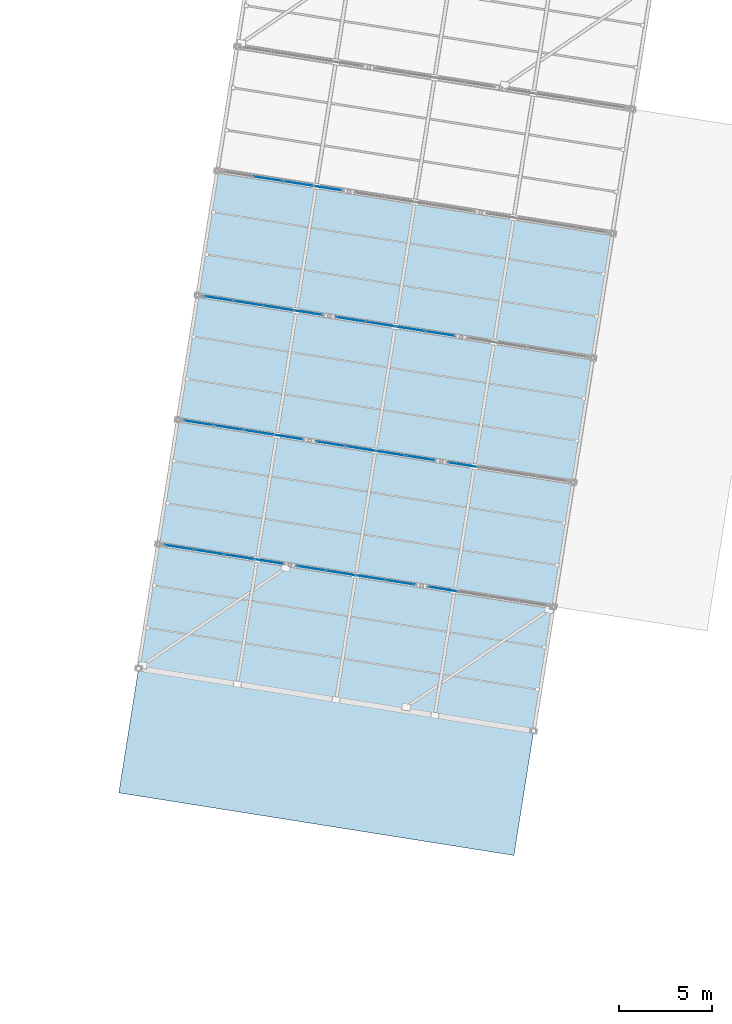
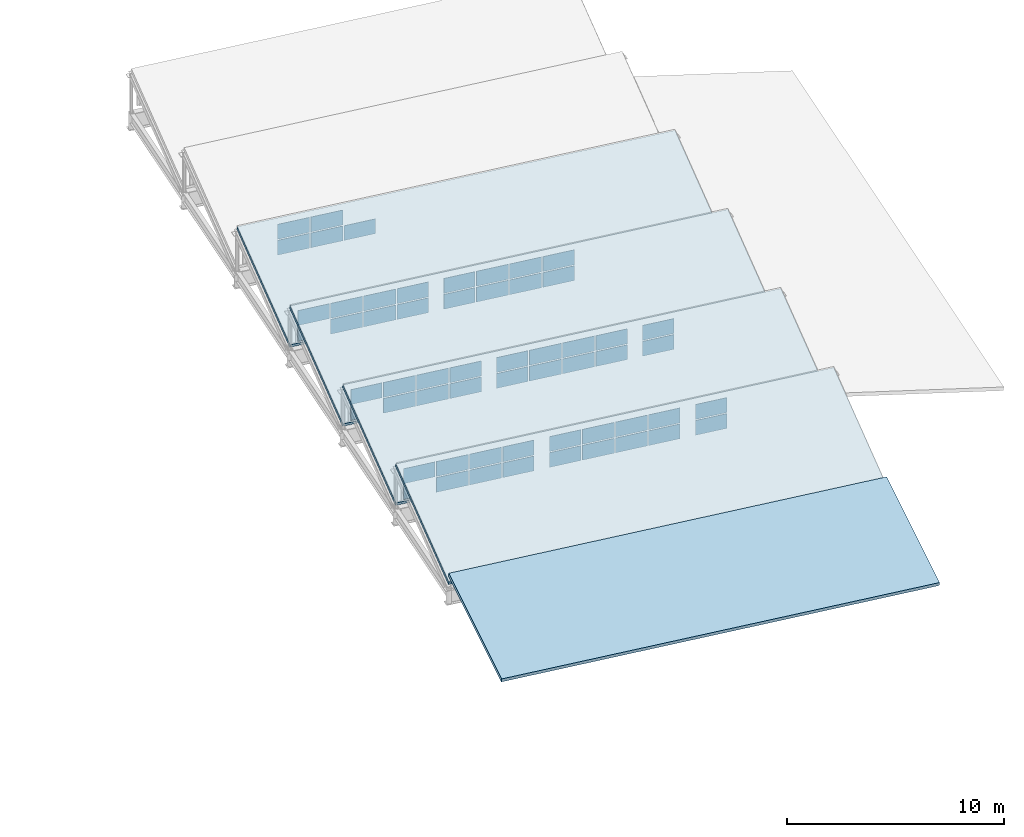
# One storey, part 56 of 65: 57 plates, 5 slabs, 9 elements without a shape of their own.
"""IFC4 building model written with IfcOpenShell, lengths in metres."""

from ifc_helpers import new_model, si_unit, direction, frame, origin, origin_2d, place, context, subcontext, project, spatial, polyline, rectangle, outline, extrude, material, layer, layer_set, type_object, element, aggregate, save


model = new_model("IFC4")

# Units and contexts
model_context = context("Model", 3, precision=1e-05, world=origin(), true_north=direction((0.0, 1.0)))
body_context = subcontext(model_context, "Body", "Model", "MODEL_VIEW")
ifc_project = project(units=[si_unit("LENGTHUNIT", "METRE"), si_unit("AREAUNIT", "SQUARE_METRE"), si_unit("VOLUMEUNIT", "CUBIC_METRE"), si_unit("PLANEANGLEUNIT", "RADIAN"), si_unit("MASSUNIT", "GRAM", prefix="KILO")], contexts=[model_context])

# Site, building, storey
site_placement = place(None, origin())
site = spatial("IfcSite", under=ifc_project, at=site_placement, CompositionType="ELEMENT")
building_placement = place(site_placement, origin())
building = spatial("IfcBuilding", under=site, at=building_placement, Name="Cinderway Yard Community Centre", CompositionType="ELEMENT")
storey_placement = place(building_placement, frame((0.0, 0.0, 24.300048828125)))
storey = spatial("IfcBuildingStorey", under=building, at=storey_placement, Name="RF", CompositionType="ELEMENT", Elevation=24.300048828125)

# Curtain wall, plates
ifc_material_1 = material(Name="Aluminium 6063-T6", Category="aluminium")
curtain_wall_type = type_object("IfcCurtainWallType", Name="ENV-CW-TYPE-23", PredefinedType="USERDEFINED", material=ifc_material_1)
curtain_wall_1_placement = place(storey_placement, origin())
curtain_wall_1 = element("IfcCurtainWall", 1, at=curtain_wall_1_placement, inside=storey, type_object=curtain_wall_type, Name="Sawtooth North-Light Clerestory ENV-CW-RF-ST-0072", ObjectType="GLAZED CURTAIN WALL", PredefinedType="USERDEFINED")
ifc_material_2 = material(Name="Laminated Low-E Glass", Category="glass")
ifc_layer_1 = layer(ifc_material_2, 0.028076171875, Name="Laminated Low-E Glass")
ifc_layer_set_1 = layer_set([ifc_layer_1], Name="Laminated Low-E Glass")
plate_type = type_object("IfcPlateType", Name="ENV-CW-PAN-IGU28", PredefinedType="CURTAIN_PANEL", material=ifc_layer_set_1)
plate_1_placement = place(storey_placement, frame((120.20458984375, 44.535400390625, -10.14013671875), z_axis=(0.0, 0.0, 1.0), x_axis=(0.987692410142, -0.15640876877, 0.0)))
plate_1 = element("IfcPlate", 2, at=plate_1_placement, type_object=plate_type, Name="CW-23 panel 1.1", PredefinedType="CURTAIN_PANEL", context=body_context, shape_type="SweptSolid", body=[
    extrude(rectangle(XDim=1.550048828125, YDim=0.028076171875, at=origin_2d()), origin(), (0.0, 0.0, 1.0), 0.830078125),
])
plate_2_placement = place(storey_placement, frame((120.20458984375, 44.535400390625, -9.25), z_axis=(0.0, 0.0, 1.0), x_axis=(0.987692410142, -0.15640876877, 0.0)))
plate_2 = element("IfcPlate", 3, at=plate_2_placement, type_object=plate_type, Name="CW-23 panel 1.2", PredefinedType="CURTAIN_PANEL", context=body_context, shape_type="SweptSolid", body=[
    extrude(rectangle(XDim=1.550048828125, YDim=0.028076171875, at=origin_2d()), origin(), (0.0, 0.0, 1.0), 0.840087890625),
])
plate_3_placement = place(storey_placement, frame((121.8095703125, 44.28125, -10.14013671875), z_axis=(0.0, 0.0, 1.0), x_axis=(0.987692410142, -0.15640876877, 0.0)))
plate_3 = element("IfcPlate", 4, at=plate_3_placement, type_object=plate_type, Name="CW-23 panel 2.1", PredefinedType="CURTAIN_PANEL", context=body_context, shape_type="SweptSolid", body=[
    extrude(rectangle(XDim=1.579833984375, YDim=0.028076171875, at=origin_2d()), origin(), (0.0, 0.0, 1.0), 0.830078125),
])
plate_4_placement = place(storey_placement, frame((121.8095703125, 44.28125, -9.25), z_axis=(0.0, 0.0, 1.0), x_axis=(0.987692410142, -0.15640876877, 0.0)))
plate_4 = element("IfcPlate", 5, at=plate_4_placement, type_object=plate_type, Name="CW-23 panel 2.2", PredefinedType="CURTAIN_PANEL", context=body_context, shape_type="SweptSolid", body=[
    extrude(rectangle(XDim=1.579833984375, YDim=0.028076171875, at=origin_2d()), origin(), (0.0, 0.0, 1.0), 0.840087890625),
])
plate_5_placement = place(storey_placement, frame((123.429443359375, 44.024658203125, -10.14013671875), z_axis=(0.0, 0.0, 1.0), x_axis=(0.987692410142, -0.15640876877, 0.0)))
plate_5 = element("IfcPlate", 6, at=plate_5_placement, type_object=plate_type, Name="CW-23 panel 3.1", PredefinedType="CURTAIN_PANEL", context=body_context, shape_type="SweptSolid", body=[
    extrude(rectangle(XDim=1.579833984375, YDim=0.028076171875, at=origin_2d()), origin(), (0.0, 0.0, 1.0), 0.830078125),
])
plate_6_placement = place(storey_placement, frame((123.429443359375, 44.024658203125, -9.25), z_axis=(0.0, 0.0, 1.0), x_axis=(0.987692410142, -0.15640876877, 0.0)))
plate_6 = element("IfcPlate", 7, at=plate_6_placement, type_object=plate_type, Name="CW-23 panel 3.2", PredefinedType="CURTAIN_PANEL", context=body_context, shape_type="SweptSolid", body=[
    extrude(rectangle(XDim=1.579833984375, YDim=0.028076171875, at=origin_2d()), origin(), (0.0, 0.0, 1.0), 0.840087890625),
])
plate_7_placement = place(storey_placement, frame((125.034423828125, 43.7705078125, -10.14013671875), z_axis=(0.0, 0.0, 1.0), x_axis=(0.987692410142, -0.15640876877, 0.0)))
plate_7 = element("IfcPlate", 8, at=plate_7_placement, type_object=plate_type, Name="CW-23 panel 4.1", PredefinedType="CURTAIN_PANEL", context=body_context, shape_type="SweptSolid", body=[
    extrude(rectangle(XDim=1.550048828125, YDim=0.028076171875, at=origin_2d()), origin(), (0.0, 0.0, 1.0), 0.830078125),
])
plate_8_placement = place(storey_placement, frame((125.034423828125, 43.7705078125, -9.25), z_axis=(0.0, 0.0, 1.0), x_axis=(0.987692410142, -0.15640876877, 0.0)))
plate_8 = element("IfcPlate", 9, at=plate_8_placement, type_object=plate_type, Name="CW-23 panel 4.2", PredefinedType="CURTAIN_PANEL", context=body_context, shape_type="SweptSolid", body=[
    extrude(rectangle(XDim=1.550048828125, YDim=0.028076171875, at=origin_2d()), origin(), (0.0, 0.0, 1.0), 0.840087890625),
])
aggregate(curtain_wall_1, [plate_1, plate_2, plate_3, plate_4, plate_5, plate_6, plate_7, plate_8])

curtain_wall_2_placement = place(storey_placement, origin())
curtain_wall_2 = element("IfcCurtainWall", 10, at=curtain_wall_2_placement, inside=storey, type_object=curtain_wall_type, Name="Sawtooth North-Light Clerestory ENV-CW-RF-ST-0073", ObjectType="GLAZED CURTAIN WALL", PredefinedType="USERDEFINED")
plate_9_placement = place(storey_placement, frame((127.315673828125, 43.409423828125, -10.14013671875), z_axis=(0.0, 0.0, 1.0), x_axis=(0.987692410142, -0.15640876877, 0.0)))
plate_9 = element("IfcPlate", 11, at=plate_9_placement, type_object=plate_type, Name="CW-23 panel 1.1", PredefinedType="CURTAIN_PANEL", context=body_context, shape_type="SweptSolid", body=[
    extrude(rectangle(XDim=1.550048828125, YDim=0.028076171875, at=origin_2d()), origin(), (0.0, 0.0, 1.0), 0.830078125),
])
plate_10_placement = place(storey_placement, frame((127.315673828125, 43.409423828125, -9.25), z_axis=(0.0, 0.0, 1.0), x_axis=(0.987692410142, -0.15640876877, 0.0)))
plate_10 = element("IfcPlate", 12, at=plate_10_placement, type_object=plate_type, Name="CW-23 panel 1.2", PredefinedType="CURTAIN_PANEL", context=body_context, shape_type="SweptSolid", body=[
    extrude(rectangle(XDim=1.550048828125, YDim=0.028076171875, at=origin_2d()), origin(), (0.0, 0.0, 1.0), 0.840087890625),
])
plate_11_placement = place(storey_placement, frame((128.920654296875, 43.1552734375, -10.14013671875), z_axis=(0.0, 0.0, 1.0), x_axis=(0.987692410142, -0.15640876877, 0.0)))
plate_11 = element("IfcPlate", 13, at=plate_11_placement, type_object=plate_type, Name="CW-23 panel 2.1", PredefinedType="CURTAIN_PANEL", context=body_context, shape_type="SweptSolid", body=[
    extrude(rectangle(XDim=1.579833984375, YDim=0.028076171875, at=origin_2d()), origin(), (0.0, 0.0, 1.0), 0.830078125),
])
plate_12_placement = place(storey_placement, frame((128.920654296875, 43.1552734375, -9.25), z_axis=(0.0, 0.0, 1.0), x_axis=(0.987692410142, -0.15640876877, 0.0)))
plate_12 = element("IfcPlate", 14, at=plate_12_placement, type_object=plate_type, Name="CW-23 panel 2.2", PredefinedType="CURTAIN_PANEL", context=body_context, shape_type="SweptSolid", body=[
    extrude(rectangle(XDim=1.579833984375, YDim=0.028076171875, at=origin_2d()), origin(), (0.0, 0.0, 1.0), 0.840087890625),
])
plate_13_placement = place(storey_placement, frame((130.540283203125, 42.898681640625, -10.14013671875), z_axis=(0.0, 0.0, 1.0), x_axis=(0.987692410142, -0.15640876877, 0.0)))
plate_13 = element("IfcPlate", 15, at=plate_13_placement, type_object=plate_type, Name="CW-23 panel 3.1", PredefinedType="CURTAIN_PANEL", context=body_context, shape_type="SweptSolid", body=[
    extrude(rectangle(XDim=1.579833984375, YDim=0.028076171875, at=origin_2d()), origin(), (0.0, 0.0, 1.0), 0.830078125),
])
plate_14_placement = place(storey_placement, frame((130.540283203125, 42.898681640625, -9.25), z_axis=(0.0, 0.0, 1.0), x_axis=(0.987692410142, -0.15640876877, 0.0)))
plate_14 = element("IfcPlate", 16, at=plate_14_placement, type_object=plate_type, Name="CW-23 panel 3.2", PredefinedType="CURTAIN_PANEL", context=body_context, shape_type="SweptSolid", body=[
    extrude(rectangle(XDim=1.579833984375, YDim=0.028076171875, at=origin_2d()), origin(), (0.0, 0.0, 1.0), 0.840087890625),
])
plate_15_placement = place(storey_placement, frame((132.145263671875, 42.64453125, -10.14013671875), z_axis=(0.0, 0.0, 1.0), x_axis=(0.987692410142, -0.15640876877, 0.0)))
plate_15 = element("IfcPlate", 17, at=plate_15_placement, type_object=plate_type, Name="CW-23 panel 4.1", PredefinedType="CURTAIN_PANEL", context=body_context, shape_type="SweptSolid", body=[
    extrude(rectangle(XDim=1.550048828125, YDim=0.028076171875, at=origin_2d()), origin(), (0.0, 0.0, 1.0), 0.830078125),
])
plate_16_placement = place(storey_placement, frame((132.145263671875, 42.64453125, -9.25), z_axis=(0.0, 0.0, 1.0), x_axis=(0.987692410142, -0.15640876877, 0.0)))
plate_16 = element("IfcPlate", 18, at=plate_16_placement, type_object=plate_type, Name="CW-23 panel 4.2", PredefinedType="CURTAIN_PANEL", context=body_context, shape_type="SweptSolid", body=[
    extrude(rectangle(XDim=1.550048828125, YDim=0.028076171875, at=origin_2d()), origin(), (0.0, 0.0, 1.0), 0.840087890625),
])
aggregate(curtain_wall_2, [plate_9, plate_10, plate_11, plate_12, plate_13, plate_14, plate_15, plate_16])

curtain_wall_3_placement = place(storey_placement, origin())
curtain_wall_3 = element("IfcCurtainWall", 19, at=curtain_wall_3_placement, inside=storey, type_object=curtain_wall_type, Name="Sawtooth North-Light Clerestory ENV-CW-RF-ST-0074", ObjectType="GLAZED CURTAIN WALL", PredefinedType="USERDEFINED")
plate_17_placement = place(storey_placement, frame((134.4267578125, 42.283203125, -10.14013671875), z_axis=(0.0, 0.0, 1.0), x_axis=(0.98767258474, -0.156533911189, 0.0)))
plate_17 = element("IfcPlate", 20, at=plate_17_placement, type_object=plate_type, Name="CW-23 panel 1.1", PredefinedType="CURTAIN_PANEL", context=body_context, shape_type="SweptSolid", body=[
    extrude(rectangle(XDim=1.55029296875, YDim=0.028076171875, at=origin_2d()), origin(), (0.0, 0.0, 1.0), 0.830078125),
])
plate_18_placement = place(storey_placement, frame((134.4267578125, 42.283203125, -9.25), z_axis=(0.0, 0.0, 1.0), x_axis=(0.98767258474, -0.156533911189, 0.0)))
plate_18 = element("IfcPlate", 21, at=plate_18_placement, type_object=plate_type, Name="CW-23 panel 1.2", PredefinedType="CURTAIN_PANEL", context=body_context, shape_type="SweptSolid", body=[
    extrude(rectangle(XDim=1.55029296875, YDim=0.028076171875, at=origin_2d()), origin(), (0.0, 0.0, 1.0), 0.840087890625),
])
aggregate(curtain_wall_3, [plate_17, plate_18])

curtain_wall_4_placement = place(storey_placement, origin())
curtain_wall_4 = element("IfcCurtainWall", 22, at=curtain_wall_4_placement, inside=storey, type_object=curtain_wall_type, Name="Sawtooth North-Light Clerestory ENV-CW-RF-ST-0075", ObjectType="GLAZED CURTAIN WALL", PredefinedType="USERDEFINED")
plate_19_placement = place(storey_placement, frame((121.268798828125, 51.252197265625, -10.14013671875), z_axis=(0.0, 0.0, 1.0), x_axis=(0.987668849203, -0.156557479266, 0.0)))
plate_19 = element("IfcPlate", 23, at=plate_19_placement, type_object=plate_type, Name="CW-23 panel 1.1", PredefinedType="CURTAIN_PANEL", context=body_context, shape_type="SweptSolid", body=[
    extrude(rectangle(XDim=1.550048828125, YDim=0.028076171875, at=origin_2d()), origin(), (0.0, 0.0, 1.0), 0.830078125),
])
plate_20_placement = place(storey_placement, frame((121.268798828125, 51.252197265625, -9.25), z_axis=(0.0, 0.0, 1.0), x_axis=(0.987668849203, -0.156557479266, 0.0)))
plate_20 = element("IfcPlate", 24, at=plate_20_placement, type_object=plate_type, Name="CW-23 panel 1.2", PredefinedType="CURTAIN_PANEL", context=body_context, shape_type="SweptSolid", body=[
    extrude(rectangle(XDim=1.550048828125, YDim=0.028076171875, at=origin_2d()), origin(), (0.0, 0.0, 1.0), 0.840087890625),
])
plate_21_placement = place(storey_placement, frame((122.87353515625, 50.997802734375, -10.14013671875), z_axis=(0.0, 0.0, 1.0), x_axis=(0.987668849203, -0.156557479266, 0.0)))
plate_21 = element("IfcPlate", 25, at=plate_21_placement, type_object=plate_type, Name="CW-23 panel 2.1", PredefinedType="CURTAIN_PANEL", context=body_context, shape_type="SweptSolid", body=[
    extrude(rectangle(XDim=1.580078125, YDim=0.028076171875, at=origin_2d()), origin(), (0.0, 0.0, 1.0), 0.830078125),
])
plate_22_placement = place(storey_placement, frame((122.87353515625, 50.997802734375, -9.25), z_axis=(0.0, 0.0, 1.0), x_axis=(0.987668849203, -0.156557479266, 0.0)))
plate_22 = element("IfcPlate", 26, at=plate_22_placement, type_object=plate_type, Name="CW-23 panel 2.2", PredefinedType="CURTAIN_PANEL", context=body_context, shape_type="SweptSolid", body=[
    extrude(rectangle(XDim=1.580078125, YDim=0.028076171875, at=origin_2d()), origin(), (0.0, 0.0, 1.0), 0.840087890625),
])
plate_23_placement = place(storey_placement, frame((124.493408203125, 50.7412109375, -10.14013671875), z_axis=(0.0, 0.0, 1.0), x_axis=(0.987668849203, -0.156557479266, 0.0)))
plate_23 = element("IfcPlate", 27, at=plate_23_placement, type_object=plate_type, Name="CW-23 panel 3.1", PredefinedType="CURTAIN_PANEL", context=body_context, shape_type="SweptSolid", body=[
    extrude(rectangle(XDim=1.580078125, YDim=0.028076171875, at=origin_2d()), origin(), (0.0, 0.0, 1.0), 0.830078125),
])
plate_24_placement = place(storey_placement, frame((124.493408203125, 50.7412109375, -9.25), z_axis=(0.0, 0.0, 1.0), x_axis=(0.987668849203, -0.156557479266, 0.0)))
plate_24 = element("IfcPlate", 28, at=plate_24_placement, type_object=plate_type, Name="CW-23 panel 3.2", PredefinedType="CURTAIN_PANEL", context=body_context, shape_type="SweptSolid", body=[
    extrude(rectangle(XDim=1.580078125, YDim=0.028076171875, at=origin_2d()), origin(), (0.0, 0.0, 1.0), 0.840087890625),
])
plate_25_placement = place(storey_placement, frame((126.098388671875, 50.48681640625, -10.14013671875), z_axis=(0.0, 0.0, 1.0), x_axis=(0.987668849203, -0.156557479266, 0.0)))
plate_25 = element("IfcPlate", 29, at=plate_25_placement, type_object=plate_type, Name="CW-23 panel 4.1", PredefinedType="CURTAIN_PANEL", context=body_context, shape_type="SweptSolid", body=[
    extrude(rectangle(XDim=1.550048828125, YDim=0.028076171875, at=origin_2d()), origin(), (0.0, 0.0, 1.0), 0.830078125),
])
plate_26_placement = place(storey_placement, frame((126.098388671875, 50.48681640625, -9.25), z_axis=(0.0, 0.0, 1.0), x_axis=(0.987668849203, -0.156557479266, 0.0)))
plate_26 = element("IfcPlate", 30, at=plate_26_placement, type_object=plate_type, Name="CW-23 panel 4.2", PredefinedType="CURTAIN_PANEL", context=body_context, shape_type="SweptSolid", body=[
    extrude(rectangle(XDim=1.550048828125, YDim=0.028076171875, at=origin_2d()), origin(), (0.0, 0.0, 1.0), 0.840087890625),
])
aggregate(curtain_wall_4, [plate_19, plate_20, plate_21, plate_22, plate_23, plate_24, plate_25, plate_26])

curtain_wall_5_placement = place(storey_placement, origin())
curtain_wall_5 = element("IfcCurtainWall", 31, at=curtain_wall_5_placement, inside=storey, type_object=curtain_wall_type, Name="Sawtooth North-Light Clerestory ENV-CW-RF-ST-0076", ObjectType="GLAZED CURTAIN WALL", PredefinedType="USERDEFINED")
plate_27_placement = place(storey_placement, frame((128.379638671875, 50.12548828125, -10.14013671875), z_axis=(0.0, 0.0, 1.0), x_axis=(0.987692410142, -0.15640876877, 0.0)))
plate_27 = element("IfcPlate", 32, at=plate_27_placement, type_object=plate_type, Name="CW-23 panel 1.1", PredefinedType="CURTAIN_PANEL", context=body_context, shape_type="SweptSolid", body=[
    extrude(rectangle(XDim=1.550048828125, YDim=0.028076171875, at=origin_2d()), origin(), (0.0, 0.0, 1.0), 0.830078125),
])
plate_28_placement = place(storey_placement, frame((128.379638671875, 50.12548828125, -9.25), z_axis=(0.0, 0.0, 1.0), x_axis=(0.987692410142, -0.15640876877, 0.0)))
plate_28 = element("IfcPlate", 33, at=plate_28_placement, type_object=plate_type, Name="CW-23 panel 1.2", PredefinedType="CURTAIN_PANEL", context=body_context, shape_type="SweptSolid", body=[
    extrude(rectangle(XDim=1.550048828125, YDim=0.028076171875, at=origin_2d()), origin(), (0.0, 0.0, 1.0), 0.840087890625),
])
plate_29_placement = place(storey_placement, frame((129.984619140625, 49.871337890625, -10.14013671875), z_axis=(0.0, 0.0, 1.0), x_axis=(0.987692410142, -0.15640876877, 0.0)))
plate_29 = element("IfcPlate", 34, at=plate_29_placement, type_object=plate_type, Name="CW-23 panel 2.1", PredefinedType="CURTAIN_PANEL", context=body_context, shape_type="SweptSolid", body=[
    extrude(rectangle(XDim=1.579833984375, YDim=0.028076171875, at=origin_2d()), origin(), (0.0, 0.0, 1.0), 0.830078125),
])
plate_30_placement = place(storey_placement, frame((129.984619140625, 49.871337890625, -9.25), z_axis=(0.0, 0.0, 1.0), x_axis=(0.987692410142, -0.15640876877, 0.0)))
plate_30 = element("IfcPlate", 35, at=plate_30_placement, type_object=plate_type, Name="CW-23 panel 2.2", PredefinedType="CURTAIN_PANEL", context=body_context, shape_type="SweptSolid", body=[
    extrude(rectangle(XDim=1.579833984375, YDim=0.028076171875, at=origin_2d()), origin(), (0.0, 0.0, 1.0), 0.840087890625),
])
plate_31_placement = place(storey_placement, frame((131.6044921875, 49.61474609375, -10.14013671875), z_axis=(0.0, 0.0, 1.0), x_axis=(0.987692410142, -0.15640876877, 0.0)))
plate_31 = element("IfcPlate", 36, at=plate_31_placement, type_object=plate_type, Name="CW-23 panel 3.1", PredefinedType="CURTAIN_PANEL", context=body_context, shape_type="SweptSolid", body=[
    extrude(rectangle(XDim=1.579833984375, YDim=0.028076171875, at=origin_2d()), origin(), (0.0, 0.0, 1.0), 0.830078125),
])
plate_32_placement = place(storey_placement, frame((131.6044921875, 49.61474609375, -9.25), z_axis=(0.0, 0.0, 1.0), x_axis=(0.987692410142, -0.15640876877, 0.0)))
plate_32 = element("IfcPlate", 37, at=plate_32_placement, type_object=plate_type, Name="CW-23 panel 3.2", PredefinedType="CURTAIN_PANEL", context=body_context, shape_type="SweptSolid", body=[
    extrude(rectangle(XDim=1.579833984375, YDim=0.028076171875, at=origin_2d()), origin(), (0.0, 0.0, 1.0), 0.840087890625),
])
plate_33_placement = place(storey_placement, frame((133.209228515625, 49.360595703125, -10.14013671875), z_axis=(0.0, 0.0, 1.0), x_axis=(0.987692410142, -0.15640876877, 0.0)))
plate_33 = element("IfcPlate", 38, at=plate_33_placement, type_object=plate_type, Name="CW-23 panel 4.1", PredefinedType="CURTAIN_PANEL", context=body_context, shape_type="SweptSolid", body=[
    extrude(rectangle(XDim=1.550048828125, YDim=0.028076171875, at=origin_2d()), origin(), (0.0, 0.0, 1.0), 0.830078125),
])
plate_34_placement = place(storey_placement, frame((133.209228515625, 49.360595703125, -9.25), z_axis=(0.0, 0.0, 1.0), x_axis=(0.987692410142, -0.15640876877, 0.0)))
plate_34 = element("IfcPlate", 39, at=plate_34_placement, type_object=plate_type, Name="CW-23 panel 4.2", PredefinedType="CURTAIN_PANEL", context=body_context, shape_type="SweptSolid", body=[
    extrude(rectangle(XDim=1.550048828125, YDim=0.028076171875, at=origin_2d()), origin(), (0.0, 0.0, 1.0), 0.840087890625),
])
aggregate(curtain_wall_5, [plate_27, plate_28, plate_29, plate_30, plate_31, plate_32, plate_33, plate_34])

curtain_wall_6_placement = place(storey_placement, origin())
curtain_wall_6 = element("IfcCurtainWall", 40, at=curtain_wall_6_placement, inside=storey, type_object=curtain_wall_type, Name="Sawtooth North-Light Clerestory ENV-CW-RF-ST-0077", ObjectType="GLAZED CURTAIN WALL", PredefinedType="USERDEFINED")
plate_35_placement = place(storey_placement, frame((135.49072265625, 48.99951171875, -10.14013671875), z_axis=(0.0, 0.0, 1.0), x_axis=(0.987696138675, -0.156385221956, 0.0)))
plate_35 = element("IfcPlate", 41, at=plate_35_placement, type_object=plate_type, Name="CW-23 panel 1.1", PredefinedType="CURTAIN_PANEL", context=body_context, shape_type="SweptSolid", body=[
    extrude(rectangle(XDim=1.55029296875, YDim=0.028076171875, at=origin_2d()), origin(), (0.0, 0.0, 1.0), 0.830078125),
])
plate_36_placement = place(storey_placement, frame((135.49072265625, 48.99951171875, -9.25), z_axis=(0.0, 0.0, 1.0), x_axis=(0.987696138675, -0.156385221956, 0.0)))
plate_36 = element("IfcPlate", 42, at=plate_36_placement, type_object=plate_type, Name="CW-23 panel 1.2", PredefinedType="CURTAIN_PANEL", context=body_context, shape_type="SweptSolid", body=[
    extrude(rectangle(XDim=1.55029296875, YDim=0.028076171875, at=origin_2d()), origin(), (0.0, 0.0, 1.0), 0.840087890625),
])
aggregate(curtain_wall_6, [plate_35, plate_36])

curtain_wall_7_placement = place(storey_placement, origin())
curtain_wall_7 = element("IfcCurtainWall", 43, at=curtain_wall_7_placement, inside=storey, type_object=curtain_wall_type, Name="Sawtooth North-Light Clerestory ENV-CW-RF-ST-0078", ObjectType="GLAZED CURTAIN WALL", PredefinedType="USERDEFINED")
plate_37_placement = place(storey_placement, frame((122.331787109375, 57.968505859375, -10.14013671875), z_axis=(0.0, 0.0, 1.0), x_axis=(0.987696138675, -0.156385221956, 0.0)))
plate_37 = element("IfcPlate", 44, at=plate_37_placement, type_object=plate_type, Name="CW-23 panel 1.1", PredefinedType="CURTAIN_PANEL", context=body_context, shape_type="SweptSolid", body=[
    extrude(rectangle(XDim=1.55029296875, YDim=0.028076171875, at=origin_2d()), origin(), (0.0, 0.0, 1.0), 0.830078125),
])
plate_38_placement = place(storey_placement, frame((122.331787109375, 57.968505859375, -9.25), z_axis=(0.0, 0.0, 1.0), x_axis=(0.987696138675, -0.156385221956, 0.0)))
plate_38 = element("IfcPlate", 45, at=plate_38_placement, type_object=plate_type, Name="CW-23 panel 1.2", PredefinedType="CURTAIN_PANEL", context=body_context, shape_type="SweptSolid", body=[
    extrude(rectangle(XDim=1.55029296875, YDim=0.028076171875, at=origin_2d()), origin(), (0.0, 0.0, 1.0), 0.840087890625),
])
plate_39_placement = place(storey_placement, frame((123.93701171875, 57.71435546875, -10.14013671875), z_axis=(0.0, 0.0, 1.0), x_axis=(0.987696138675, -0.156385221956, 0.0)))
plate_39 = element("IfcPlate", 46, at=plate_39_placement, type_object=plate_type, Name="CW-23 panel 2.1", PredefinedType="CURTAIN_PANEL", context=body_context, shape_type="SweptSolid", body=[
    extrude(rectangle(XDim=1.580078125, YDim=0.028076171875, at=origin_2d()), origin(), (0.0, 0.0, 1.0), 0.830078125),
])
plate_40_placement = place(storey_placement, frame((123.93701171875, 57.71435546875, -9.25), z_axis=(0.0, 0.0, 1.0), x_axis=(0.987696138675, -0.156385221956, 0.0)))
plate_40 = element("IfcPlate", 47, at=plate_40_placement, type_object=plate_type, Name="CW-23 panel 2.2", PredefinedType="CURTAIN_PANEL", context=body_context, shape_type="SweptSolid", body=[
    extrude(rectangle(XDim=1.580078125, YDim=0.028076171875, at=origin_2d()), origin(), (0.0, 0.0, 1.0), 0.840087890625),
])
plate_41_placement = place(storey_placement, frame((125.556884765625, 57.457763671875, -10.14013671875), z_axis=(0.0, 0.0, 1.0), x_axis=(0.987696138675, -0.156385221956, 0.0)))
plate_41 = element("IfcPlate", 48, at=plate_41_placement, type_object=plate_type, Name="CW-23 panel 3.1", PredefinedType="CURTAIN_PANEL", context=body_context, shape_type="SweptSolid", body=[
    extrude(rectangle(XDim=1.580078125, YDim=0.028076171875, at=origin_2d()), origin(), (0.0, 0.0, 1.0), 0.830078125),
])
plate_42_placement = place(storey_placement, frame((125.556884765625, 57.457763671875, -9.25), z_axis=(0.0, 0.0, 1.0), x_axis=(0.987696138675, -0.156385221956, 0.0)))
plate_42 = element("IfcPlate", 49, at=plate_42_placement, type_object=plate_type, Name="CW-23 panel 3.2", PredefinedType="CURTAIN_PANEL", context=body_context, shape_type="SweptSolid", body=[
    extrude(rectangle(XDim=1.580078125, YDim=0.028076171875, at=origin_2d()), origin(), (0.0, 0.0, 1.0), 0.840087890625),
])
plate_43_placement = place(storey_placement, frame((127.162109375, 57.20361328125, -10.14013671875), z_axis=(0.0, 0.0, 1.0), x_axis=(0.987696138675, -0.156385221956, 0.0)))
plate_43 = element("IfcPlate", 50, at=plate_43_placement, type_object=plate_type, Name="CW-23 panel 4.1", PredefinedType="CURTAIN_PANEL", context=body_context, shape_type="SweptSolid", body=[
    extrude(rectangle(XDim=1.55029296875, YDim=0.028076171875, at=origin_2d()), origin(), (0.0, 0.0, 1.0), 0.830078125),
])
plate_44_placement = place(storey_placement, frame((127.162109375, 57.20361328125, -9.25), z_axis=(0.0, 0.0, 1.0), x_axis=(0.987696138675, -0.156385221956, 0.0)))
plate_44 = element("IfcPlate", 51, at=plate_44_placement, type_object=plate_type, Name="CW-23 panel 4.2", PredefinedType="CURTAIN_PANEL", context=body_context, shape_type="SweptSolid", body=[
    extrude(rectangle(XDim=1.55029296875, YDim=0.028076171875, at=origin_2d()), origin(), (0.0, 0.0, 1.0), 0.840087890625),
])
aggregate(curtain_wall_7, [plate_37, plate_38, plate_39, plate_40, plate_41, plate_42, plate_43, plate_44])

curtain_wall_8_placement = place(storey_placement, origin())
curtain_wall_8 = element("IfcCurtainWall", 52, at=curtain_wall_8_placement, inside=storey, type_object=curtain_wall_type, Name="Sawtooth North-Light Clerestory ENV-CW-RF-ST-0079", ObjectType="GLAZED CURTAIN WALL", PredefinedType="USERDEFINED")
plate_45_placement = place(storey_placement, frame((129.443603515625, 56.84228515625, -10.14013671875), z_axis=(0.0, 0.0, 1.0), x_axis=(0.987668849203, -0.156557479266, 0.0)))
plate_45 = element("IfcPlate", 53, at=plate_45_placement, type_object=plate_type, Name="CW-23 panel 1.1", PredefinedType="CURTAIN_PANEL", context=body_context, shape_type="SweptSolid", body=[
    extrude(rectangle(XDim=1.550048828125, YDim=0.028076171875, at=origin_2d()), origin(), (0.0, 0.0, 1.0), 0.830078125),
])
plate_46_placement = place(storey_placement, frame((129.443603515625, 56.84228515625, -9.25), z_axis=(0.0, 0.0, 1.0), x_axis=(0.987668849203, -0.156557479266, 0.0)))
plate_46 = element("IfcPlate", 54, at=plate_46_placement, type_object=plate_type, Name="CW-23 panel 1.2", PredefinedType="CURTAIN_PANEL", context=body_context, shape_type="SweptSolid", body=[
    extrude(rectangle(XDim=1.550048828125, YDim=0.028076171875, at=origin_2d()), origin(), (0.0, 0.0, 1.0), 0.840087890625),
])
plate_47_placement = place(storey_placement, frame((131.048583984375, 56.587890625, -10.14013671875), z_axis=(0.0, 0.0, 1.0), x_axis=(0.987668849203, -0.156557479266, 0.0)))
plate_47 = element("IfcPlate", 55, at=plate_47_placement, type_object=plate_type, Name="CW-23 panel 2.1", PredefinedType="CURTAIN_PANEL", context=body_context, shape_type="SweptSolid", body=[
    extrude(rectangle(XDim=1.580078125, YDim=0.028076171875, at=origin_2d()), origin(), (0.0, 0.0, 1.0), 0.830078125),
])
plate_48_placement = place(storey_placement, frame((131.048583984375, 56.587890625, -9.25), z_axis=(0.0, 0.0, 1.0), x_axis=(0.987668849203, -0.156557479266, 0.0)))
plate_48 = element("IfcPlate", 56, at=plate_48_placement, type_object=plate_type, Name="CW-23 panel 2.2", PredefinedType="CURTAIN_PANEL", context=body_context, shape_type="SweptSolid", body=[
    extrude(rectangle(XDim=1.580078125, YDim=0.028076171875, at=origin_2d()), origin(), (0.0, 0.0, 1.0), 0.840087890625),
])
plate_49_placement = place(storey_placement, frame((132.66845703125, 56.3310546875, -10.14013671875), z_axis=(0.0, 0.0, 1.0), x_axis=(0.987668849203, -0.156557479266, 0.0)))
plate_49 = element("IfcPlate", 57, at=plate_49_placement, type_object=plate_type, Name="CW-23 panel 3.1", PredefinedType="CURTAIN_PANEL", context=body_context, shape_type="SweptSolid", body=[
    extrude(rectangle(XDim=1.580078125, YDim=0.028076171875, at=origin_2d()), origin(), (0.0, 0.0, 1.0), 0.830078125),
])
plate_50_placement = place(storey_placement, frame((132.66845703125, 56.3310546875, -9.25), z_axis=(0.0, 0.0, 1.0), x_axis=(0.987668849203, -0.156557479266, 0.0)))
plate_50 = element("IfcPlate", 58, at=plate_50_placement, type_object=plate_type, Name="CW-23 panel 3.2", PredefinedType="CURTAIN_PANEL", context=body_context, shape_type="SweptSolid", body=[
    extrude(rectangle(XDim=1.580078125, YDim=0.028076171875, at=origin_2d()), origin(), (0.0, 0.0, 1.0), 0.840087890625),
])
plate_51_placement = place(storey_placement, frame((134.273193359375, 56.07666015625, -10.14013671875), z_axis=(0.0, 0.0, 1.0), x_axis=(0.987668849203, -0.156557479266, 0.0)))
plate_51 = element("IfcPlate", 59, at=plate_51_placement, type_object=plate_type, Name="CW-23 panel 4.1", PredefinedType="CURTAIN_PANEL", context=body_context, shape_type="SweptSolid", body=[
    extrude(rectangle(XDim=1.550048828125, YDim=0.028076171875, at=origin_2d()), origin(), (0.0, 0.0, 1.0), 0.830078125),
])
plate_52_placement = place(storey_placement, frame((134.273193359375, 56.07666015625, -9.25), z_axis=(0.0, 0.0, 1.0), x_axis=(0.987668849203, -0.156557479266, 0.0)))
plate_52 = element("IfcPlate", 60, at=plate_52_placement, type_object=plate_type, Name="CW-23 panel 4.2", PredefinedType="CURTAIN_PANEL", context=body_context, shape_type="SweptSolid", body=[
    extrude(rectangle(XDim=1.550048828125, YDim=0.028076171875, at=origin_2d()), origin(), (0.0, 0.0, 1.0), 0.840087890625),
])
aggregate(curtain_wall_8, [plate_45, plate_46, plate_47, plate_48, plate_49, plate_50, plate_51, plate_52])

curtain_wall_9_placement = place(storey_placement, origin())
curtain_wall_9 = element("IfcCurtainWall", 61, at=curtain_wall_9_placement, inside=storey, type_object=curtain_wall_type, Name="Sawtooth North-Light Clerestory ENV-CW-RF-ST-0081", ObjectType="GLAZED CURTAIN WALL", PredefinedType="USERDEFINED")
plate_53_placement = place(storey_placement, frame((125.000732421875, 64.43017578125, -10.14013671875), z_axis=(0.0, 0.0, 1.0), x_axis=(0.987692410142, -0.15640876877, 0.0)))
plate_53 = element("IfcPlate", 62, at=plate_53_placement, type_object=plate_type, Name="CW-23 panel 2.1", PredefinedType="CURTAIN_PANEL", context=body_context, shape_type="SweptSolid", body=[
    extrude(rectangle(XDim=1.579833984375, YDim=0.028076171875, at=origin_2d()), origin(), (0.0, 0.0, 1.0), 0.830078125),
])
plate_54_placement = place(storey_placement, frame((125.000732421875, 64.43017578125, -9.25), z_axis=(0.0, 0.0, 1.0), x_axis=(0.987692410142, -0.15640876877, 0.0)))
plate_54 = element("IfcPlate", 63, at=plate_54_placement, type_object=plate_type, Name="CW-23 panel 2.2", PredefinedType="CURTAIN_PANEL", context=body_context, shape_type="SweptSolid", body=[
    extrude(rectangle(XDim=1.579833984375, YDim=0.028076171875, at=origin_2d()), origin(), (0.0, 0.0, 1.0), 0.840087890625),
])
plate_55_placement = place(storey_placement, frame((126.620361328125, 64.173828125, -10.14013671875), z_axis=(0.0, 0.0, 1.0), x_axis=(0.987692410142, -0.15640876877, 0.0)))
plate_55 = element("IfcPlate", 64, at=plate_55_placement, type_object=plate_type, Name="CW-23 panel 3.1", PredefinedType="CURTAIN_PANEL", context=body_context, shape_type="SweptSolid", body=[
    extrude(rectangle(XDim=1.579833984375, YDim=0.028076171875, at=origin_2d()), origin(), (0.0, 0.0, 1.0), 0.830078125),
])
plate_56_placement = place(storey_placement, frame((126.620361328125, 64.173828125, -9.25), z_axis=(0.0, 0.0, 1.0), x_axis=(0.987692410142, -0.15640876877, 0.0)))
plate_56 = element("IfcPlate", 65, at=plate_56_placement, type_object=plate_type, Name="CW-23 panel 3.2", PredefinedType="CURTAIN_PANEL", context=body_context, shape_type="SweptSolid", body=[
    extrude(rectangle(XDim=1.579833984375, YDim=0.028076171875, at=origin_2d()), origin(), (0.0, 0.0, 1.0), 0.840087890625),
])
plate_57_placement = place(storey_placement, frame((128.225341796875, 63.919677734375, -10.14013671875), z_axis=(0.0, 0.0, 1.0), x_axis=(0.987692410142, -0.15640876877, 0.0)))
plate_57 = element("IfcPlate", 66, at=plate_57_placement, type_object=plate_type, Name="CW-23 panel 4.1", PredefinedType="CURTAIN_PANEL", context=body_context, shape_type="SweptSolid", body=[
    extrude(rectangle(XDim=1.550048828125, YDim=0.028076171875, at=origin_2d()), origin(), (0.0, 0.0, 1.0), 0.830078125),
])
aggregate(curtain_wall_9, [plate_53, plate_54, plate_55, plate_56, plate_57])

# Slabs
ifc_material_3 = material(Name="Concrete C40/50", Category="concrete")
ifc_layer_2 = layer(ifc_material_3, 0.199951171875, Name="Concrete C40/50")
ifc_layer_set_2 = layer_set([ifc_layer_2], Name="Concrete C40/50")
slab_type_1 = type_object("IfcSlabType", Name="STR-SLAB-ROOF-MP200", PredefinedType="ROOF", material=ifc_layer_set_2)
slab_1_placement = place(storey_placement, frame((116.93603515625, 31.283935546875, -11.25), z_axis=(-0.033697716448, -0.212763096392, 0.976522569488), x_axis=(0.987688805013, -0.156431532791, 0.0)))
element("IfcSlab", 67, at=slab_1_placement, inside=storey, type_object=slab_type_1, Name="V2 SOUTH-BAR Sloped Roof", PredefinedType="ROOF", context=body_context, shape_type="SweptSolid", body=[
    extrude(outline(polyline([(0.0, 0.0), (21.599905017361376, -4.440892098500626e-16), (21.60016692573738, 6.963299710530143), (0.0002619083760031504, 6.963299710530143), (0.0, 0.0)])), origin(), (0.0, 0.0, -1.0), 0.199951171875),
])
ifc_layer_3 = layer(ifc_material_3, 0.179931640625, Name="Concrete C40/50")
ifc_layer_set_3 = layer_set([ifc_layer_3], Name="Concrete C40/50")
slab_type_2 = type_object("IfcSlabType", Name="STR-SLAB-ROOF-SW180", PredefinedType="ROOF", material=ifc_layer_set_3)
slab_2_placement = place(storey_placement, frame((118.0, 38.0, -10.25), z_axis=(-0.048155459779, -0.30403646525, 0.951442525585), x_axis=(0.987688722272, -0.156432055199, 1.634807e-06)))
element("IfcSlab", 68, at=slab_2_placement, inside=storey, type_object=slab_type_2, Name="Sports Hall Sawtooth Roof Facet 01", PredefinedType="ROOF", context=body_context, shape_type="SweptSolid", body=[
    extrude(outline(polyline([(0.0, 0.0), (21.59990501732949, 0.0), (21.60020511706145, 7.146610995830152), (0.0002619083122332063, 7.146840421887558), (0.0, 0.0)])), origin(), (0.0, 0.0, -1.0), 0.179931640625),
])
slab_3_placement = place(storey_placement, frame((119.06396484375, 44.716064453125, -10.25), z_axis=(-0.048150201025, -0.303992281366, 0.951456909698), x_axis=(0.987687058599, -0.156442559028, 0.0)))
element("IfcSlab", 69, at=slab_3_placement, inside=storey, type_object=slab_type_2, Name="Sports Hall Sawtooth Roof Facet 02", PredefinedType="ROOF", context=body_context, shape_type="SweptSolid", body=[
    extrude(outline(polyline([(0.0, 0.0), (21.59994320999954, 0.0), (21.599976431397927, 7.147758134677964), (3.322139838402016e-05, 7.147758134677964), (0.0, 0.0)])), origin(), (0.0, 0.0, -1.0), 0.179931640625),
])
slab_4_placement = place(storey_placement, frame((120.1279296875, 51.43310546875, -10.25), z_axis=(-0.048156439199, -0.30404264896, 0.951440499967), x_axis=(0.987687141347, -0.1564420366, -1.634834e-06)))
element("IfcSlab", 70, at=slab_4_placement, inside=storey, type_object=slab_type_2, Name="Sports Hall Sawtooth Roof Facet 03", PredefinedType="ROOF", context=body_context, shape_type="SweptSolid", body=[
    extrude(outline(polyline([(0.0, 0.0), (21.599943209967655, 4.440892098500626e-16), (21.599164669223196, 7.146695066653891), (-0.0007403468878657169, 7.146465641490598), (0.0, 0.0)])), origin(), (0.0, 0.0, -1.0), 0.179931640625),
])
slab_5_placement = place(storey_placement, frame((121.19091796875, 58.14892578125, -10.25), z_axis=(-0.0481525986, -0.304031123728, 0.951444377277), x_axis=(0.987688818117, -0.156431450054, -2.58917e-07)))
element("IfcSlab", 71, at=slab_5_placement, inside=storey, type_object=slab_type_2, Name="Sports Hall Sawtooth Roof Facet 04", PredefinedType="ROOF", context=body_context, shape_type="SweptSolid", body=[
    extrude(outline(polyline([(0.0, 0.0), (21.599905017360577, 0.0), (21.600408060700342, 7.146876758871716), (0.00026190837440361964, 7.146840421981506), (0.0, 0.0)])), origin(), (0.0, 0.0, -1.0), 0.179931640625),
])

save(model, "model.ifc")
